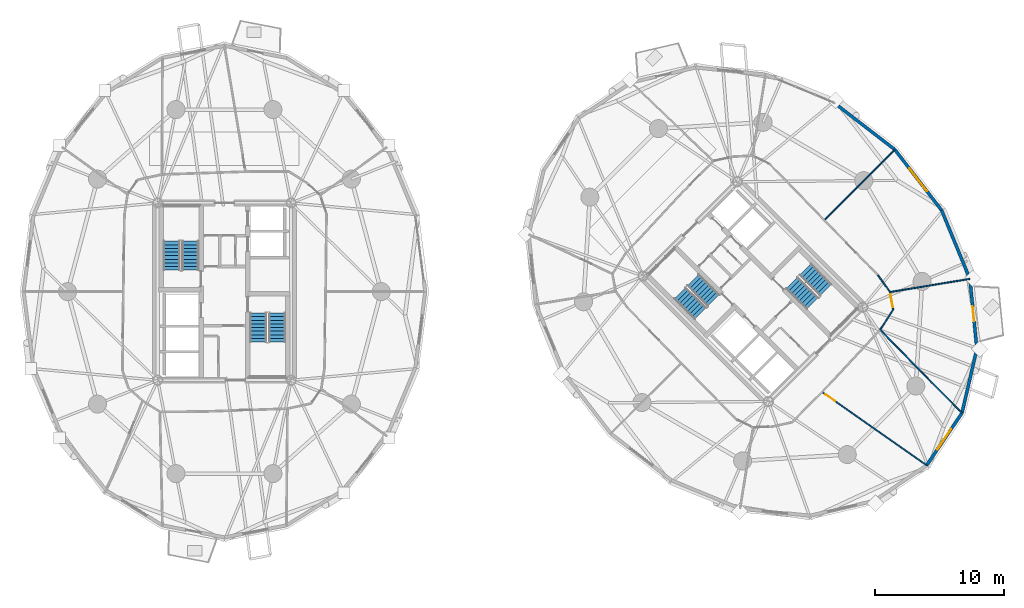
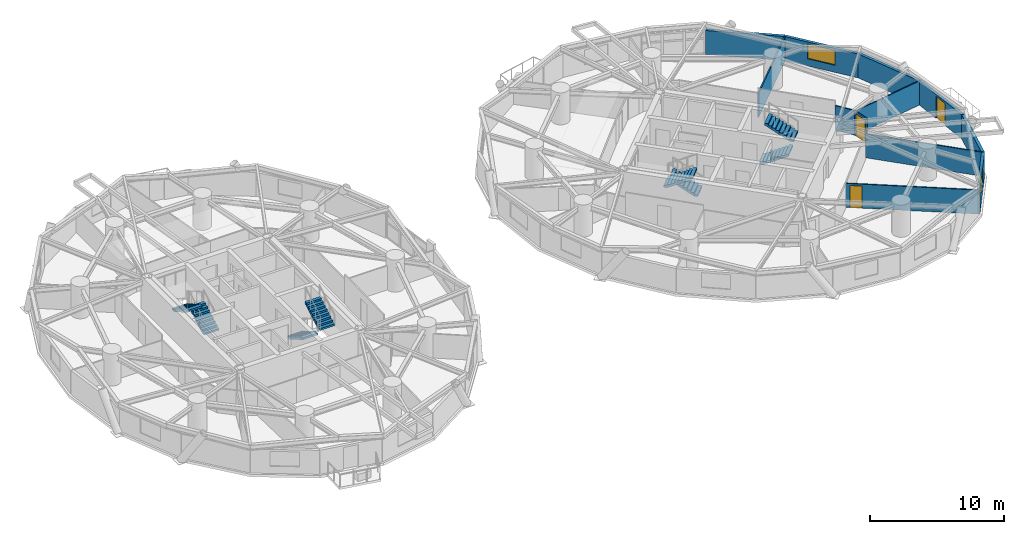
# One storey, part 15 of 18: 13 walls, 8 stair flights, 3 doors, 2 windows, 5 openings, 4 elements without a shape of their own.
"""IFC4 building model written with IfcOpenShell, lengths in metres."""

from ifc_helpers import new_model, si_unit, direction, frame, frame_2d, origin, place, context, subcontext, project, spatial, polyline, rectangle, outline, extrude, source, transform, mapped, material, layer, layer_set, type_object, element, fill, aggregate, save


model = new_model("IFC4")

# Units and contexts
model_context = context("Model", 3, precision=1e-05, world=origin(), true_north=direction((0.0, 1.0)))
body_context = subcontext(model_context, "Body", "Model", "MODEL_VIEW")
ifc_project = project(units=[si_unit("LENGTHUNIT", "METRE"), si_unit("AREAUNIT", "SQUARE_METRE"), si_unit("VOLUMEUNIT", "CUBIC_METRE"), si_unit("PLANEANGLEUNIT", "RADIAN"), si_unit("MASSUNIT", "GRAM", prefix="KILO")], contexts=[model_context])

# Site, building, storey
site_placement = place(None, origin())
site = spatial("IfcSite", under=ifc_project, at=site_placement, CompositionType="ELEMENT")
building_placement = place(site_placement, origin())
building = spatial("IfcBuilding", under=site, at=building_placement, Name="Cununo Teusaquillo Station Towers", CompositionType="ELEMENT")
storey_placement = place(building_placement, frame((0.0, 0.0, 102.159912109375)))
storey = spatial("IfcBuildingStorey", under=building, at=storey_placement, Name="L32", CompositionType="ELEMENT", Elevation=102.159912109375)

# Wall
ifc_material_1 = material(Name="Precast concrete C40/50", Category="concrete")
ifc_layer_1 = layer(ifc_material_1, 0.239990234375)
ifc_layer_set_1 = layer_set([ifc_layer_1], Name="Precast concrete C40/50")
wall_type_1 = type_object("IfcWallType", Name="WL-EXT-240", PredefinedType="SOLIDWALL", material=ifc_layer_set_1)
wall_1_placement = place(storey_placement, frame((63.811279296875, 39.145263671875, 0.0), z_axis=(0.0, 0.0, 1.0), x_axis=(0.791982052206, -0.61054437102, 0.0)))
element("IfcWall", 1, at=wall_1_placement, inside=storey, type_object=wall_type_1, Name="L32 Tower B Exterior Facade Wall C00", PredefinedType="SOLIDWALL", context=body_context, shape_type="SweptSolid", body=[
    extrude(rectangle(XDim=5.942138671875, YDim=0.239990234375, at=frame_2d((2.97119140625, 0.0))), origin(), (0.0, 0.0, 1.0), 2.17919921875),
])

# Wall, opening, window
wall_2_placement = place(storey_placement, frame((73.72900390625, 15.080078125, 0.0), z_axis=(0.0, 0.0, 1.0), x_axis=(-0.559572880421, -0.828781148131, 0.0)))
wall_2 = element("IfcWall", 2, at=wall_2_placement, inside=storey, type_object=wall_type_1, Name="L32 Tower B Exterior Facade Wall C15", PredefinedType="SOLIDWALL", context=body_context, shape_type="SweptSolid", body=[
    extrude(rectangle(XDim=4.904541015625, YDim=0.239990234375, at=frame_2d((2.4521484375, 0.0))), origin(), (0.0, 0.0, 1.0), 2.17919921875),
])
shared_shape_1 = source(origin(), body_context, "Body", "SweptSolid", [
    extrude(rectangle(XDim=1.89990234375, YDim=1.35009765625, at=frame_2d((0.949951171875, 0.675048828125))), frame((0.0, 0.1298828125, 0.0), z_axis=(0.0, -1.0, 0.0), x_axis=(1.0, 0.0, 0.0)), (0.0, 0.0, 1.0), 0.260009765625),
])
opening_1_placement = place(wall_2_placement, frame((1.501953125, 0.0, 0.64990234375)))
opening_1 = element("IfcOpeningElement", 3, at=opening_1_placement, cuts=wall_2, Name="Opening WN-02", PredefinedType="OPENING", context=body_context, shape_type="MappedRepresentation", body=[
    mapped(shared_shape_1, transform((0.0, 0.0, 0.0), x_axis=(1.0, 0.0, 0.0), y_axis=(0.0, 1.0, 0.0), z_axis=(0.0, 0.0, 1.0), scale=1.0)),
])
ifc_material_2 = material(Name="Operable acoustic tinted low-E double glazing", Category="glass")
window_type_1 = type_object("IfcWindowType", Name="WIN-OPER-1900", PartitioningType="DOUBLE_PANEL_VERTICAL", PredefinedType="WINDOW", material=ifc_material_2)
shared_shape_2 = source(origin(), body_context, "Body", "SweptSolid", [
    extrude(rectangle(XDim=1.89990234375, YDim=1.35009765625, at=frame_2d((0.949951171875, 0.675048828125))), frame((0.0, 0.030029296875, 0.0), z_axis=(0.0, -1.0, 0.0), x_axis=(1.0, 0.0, 0.0)), (0.0, 0.0, 1.0), 0.06005859375),
])
window_1_placement = place(opening_1_placement, origin())
window_1 = element("IfcWindow", 4, at=window_1_placement, inside=storey, type_object=window_type_1, Name="L32 Tower B Facade Window C15", OverallHeight=1.35009765625, OverallWidth=1.89990234375, PartitioningType="DOUBLE_PANEL_VERTICAL", PredefinedType="WINDOW", context=body_context, shape_type="MappedRepresentation", body=[
    mapped(shared_shape_2, transform((0.0, 0.0, 0.0), x_axis=(1.0, 0.0, 0.0), y_axis=(0.0, 1.0, 0.0), z_axis=(0.0, 0.0, 1.0), scale=1.0)),
])
fill(opening_1, window_1)

# Wall
wall_3_placement = place(storey_placement, frame((74.885009765625, 20.066650390625, 0.0), z_axis=(0.0, 0.0, 1.0), x_axis=(-0.225834725257, -0.974165631126, 0.0)))
element("IfcWall", 5, at=wall_3_placement, inside=storey, type_object=wall_type_1, Name="L32 Tower B Exterior Facade Wall C16", PredefinedType="SOLIDWALL", context=body_context, shape_type="SweptSolid", body=[
    extrude(rectangle(XDim=5.118896484375, YDim=0.239990234375, at=frame_2d((2.5595703125, 0.0))), origin(), (0.0, 0.0, 1.0), 2.17919921875),
])

# Wall, opening, door
wall_4_placement = place(storey_placement, frame((74.33935546875, 25.4873046875, 0.0), z_axis=(0.0, 0.0, 1.0), x_axis=(0.10015591906, -0.994971754311, 0.0)))
wall_4 = element("IfcWall", 6, at=wall_4_placement, inside=storey, type_object=wall_type_1, Name="L32 Tower B Exterior Facade Wall C17", PredefinedType="SOLIDWALL", context=body_context, shape_type="SweptSolid", body=[
    extrude(rectangle(XDim=5.447998046875, YDim=0.239990234375, at=frame_2d((2.72412109375, 0.0))), origin(), (0.0, 0.0, 1.0), 2.17919921875),
])
shared_shape_3 = source(origin(), body_context, "Body", "SweptSolid", [
    extrude(rectangle(XDim=1.14990234375, YDim=2.0048828125, at=frame_2d((0.574951171875, 1.00244140625))), frame((0.0, 0.1298828125, 0.0), z_axis=(0.0, -1.0, 0.0), x_axis=(1.0, 0.0, 0.0)), (0.0, 0.0, 1.0), 0.260009765625),
])
opening_2_placement = place(wall_4_placement, frame((2.14892578125, 0.0, 0.0)))
opening_2 = element("IfcOpeningElement", 7, at=opening_2_placement, cuts=wall_4, Name="Opening ED-03", PredefinedType="OPENING", context=body_context, shape_type="MappedRepresentation", body=[
    mapped(shared_shape_3, transform((0.0, 0.0, 0.0), x_axis=(1.0, 0.0, 0.0), y_axis=(0.0, 1.0, 0.0), z_axis=(0.0, 0.0, 1.0), scale=1.0)),
])
ifc_material_3 = material(Name="Anodised dark bronze aluminium EN AW-6063-T6", Category="aluminium")
door_type_1 = type_object("IfcDoorType", Name="DR-EXT-BAL", OperationType="NOTDEFINED", PredefinedType="DOOR", material=ifc_material_3)
shared_shape_4 = source(origin(), body_context, "Body", "SweptSolid", [
    extrude(rectangle(XDim=1.14990234375, YDim=2.0048828125, at=frame_2d((0.574951171875, 1.00244140625))), frame((0.0, 0.02490234375, 0.0), z_axis=(0.0, -1.0, 0.0), x_axis=(1.0, 0.0, 0.0)), (0.0, 0.0, 1.0), 0.050048828125),
])
door_1_placement = place(opening_2_placement, origin())
door_1 = element("IfcDoor", 8, at=door_1_placement, inside=storey, type_object=door_type_1, Name="L32 Tower B Tree Balcony Door C17", OperationType="SINGLE_SWING_LEFT", OverallHeight=2.0048828125, OverallWidth=1.14990234375, PredefinedType="DOOR", context=body_context, shape_type="MappedRepresentation", body=[
    mapped(shared_shape_4, transform((0.0, 0.0, 0.0), x_axis=(1.0, 0.0, 0.0), y_axis=(0.0, 1.0, 0.0), z_axis=(0.0, 0.0, 1.0), scale=1.0)),
])
fill(opening_2, door_1)

# Wall
wall_5_placement = place(storey_placement, frame((72.145263671875, 30.811279296875, 0.0), z_axis=(0.0, 0.0, 1.0), x_axis=(0.381027003055, -0.924563909604, 0.0)))
element("IfcWall", 9, at=wall_5_placement, inside=storey, type_object=wall_type_1, Name="L32 Tower B Exterior Facade Wall C18", PredefinedType="SOLIDWALL", context=body_context, shape_type="SweptSolid", body=[
    extrude(rectangle(XDim=5.75830078125, YDim=0.239990234375, at=frame_2d((2.879150390625, 0.0))), origin(), (0.0, 0.0, 1.0), 2.17919921875),
])

# Wall, opening, window
wall_6_placement = place(storey_placement, frame((68.517333984375, 35.517333984375, 0.0), z_axis=(0.0, 0.0, 1.0), x_axis=(0.61054437102, -0.791982052206, 0.0)))
wall_6 = element("IfcWall", 10, at=wall_6_placement, inside=storey, type_object=wall_type_1, Name="L32 Tower B Exterior Facade Wall C19", PredefinedType="SOLIDWALL", context=body_context, shape_type="SweptSolid", body=[
    extrude(rectangle(XDim=5.942138671875, YDim=0.239990234375, at=frame_2d((2.97119140625, 0.0))), origin(), (0.0, 0.0, 1.0), 2.17919921875),
])
shared_shape_5 = source(origin(), body_context, "Body", "SweptSolid", [
    extrude(rectangle(XDim=2.199951171875, YDim=1.35009765625, at=frame_2d((1.10009765625, 0.675048828125))), frame((0.0, 0.1298828125, 0.0), z_axis=(0.0, -1.0, 0.0), x_axis=(1.0, 0.0, 0.0)), (0.0, 0.0, 1.0), 0.260009765625),
])
opening_3_placement = place(wall_6_placement, frame((1.87109375, 0.0, 0.64990234375)))
opening_3 = element("IfcOpeningElement", 11, at=opening_3_placement, cuts=wall_6, Name="Opening WN-01", PredefinedType="OPENING", context=body_context, shape_type="MappedRepresentation", body=[
    mapped(shared_shape_5, transform((0.0, 0.0, 0.0), x_axis=(1.0, 0.0, 0.0), y_axis=(0.0, 1.0, 0.0), z_axis=(0.0, 0.0, 1.0), scale=1.0)),
])
ifc_material_4 = material(Name="Ceramic-fritted dark low-E double glazing", Category="glass")
window_type_2 = type_object("IfcWindowType", Name="WIN-FRIT-2200", PartitioningType="DOUBLE_PANEL_VERTICAL", PredefinedType="WINDOW", material=ifc_material_4)
shared_shape_6 = source(origin(), body_context, "Body", "SweptSolid", [
    extrude(rectangle(XDim=2.199951171875, YDim=1.35009765625, at=frame_2d((1.10009765625, 0.675048828125))), frame((0.0, 0.030029296875, 0.0), z_axis=(0.0, -1.0, 0.0), x_axis=(1.0, 0.0, 0.0)), (0.0, 0.0, 1.0), 0.06005859375),
])
window_2_placement = place(opening_3_placement, origin())
window_2 = element("IfcWindow", 12, at=window_2_placement, inside=storey, type_object=window_type_2, Name="L32 Tower B Facade Window C19", OverallHeight=1.35009765625, OverallWidth=2.199951171875, PartitioningType="DOUBLE_PANEL_VERTICAL", PredefinedType="WINDOW", context=body_context, shape_type="MappedRepresentation", body=[
    mapped(shared_shape_6, transform((0.0, 0.0, 0.0), x_axis=(1.0, 0.0, 0.0), y_axis=(0.0, 1.0, 0.0), z_axis=(0.0, 0.0, 1.0), scale=1.0)),
])
fill(opening_3, window_2)

# Wall
ifc_material_5 = material(Name="Fire-rated gypsum plasterboard partition assembly", Category="gypsum")
ifc_layer_2 = layer(ifc_material_5, 0.10009765625)
ifc_layer_set_2 = layer_set([ifc_layer_2], Name="Fire-rated gypsum plasterboard partition assembly")
wall_type_2 = type_object("IfcWallType", Name="WL-PART-100", PredefinedType="MOVABLE", material=ifc_layer_set_2)
wall_7_placement = place(storey_placement, frame((67.3779296875, 21.534423828125, 0.0), z_axis=(0.0, 0.0, 1.0), x_axis=(0.54130306552, 0.840827563332, 0.0)))
element("IfcWall", 13, at=wall_7_placement, inside=storey, type_object=wall_type_2, Name="L32 Tower B Corridor Ring Wall C16", PredefinedType="MOVABLE", context=body_context, shape_type="SweptSolid", body=[
    extrude(rectangle(XDim=1.877197265625, YDim=0.10009765625, at=frame_2d((0.9384765625, 0.0))), origin(), (0.0, 0.0, 1.0), 2.22509765625),
])

# Wall, opening, door
wall_8_placement = place(storey_placement, frame((68.39404296875, 23.11279296875, 0.0), z_axis=(0.0, 0.0, 1.0), x_axis=(-0.177868948753, 0.984054184011, 0.0)))
wall_8 = element("IfcWall", 14, at=wall_8_placement, inside=storey, type_object=wall_type_2, Name="L32 Tower B Corridor Ring Wall C17", PredefinedType="MOVABLE", context=body_context, shape_type="SweptSolid", body=[
    extrude(rectangle(XDim=1.3740234375, YDim=0.10009765625, at=frame_2d((0.68701171875, 0.0))), origin(), (0.0, 0.0, 1.0), 2.22509765625),
])
shared_shape_7 = source(origin(), body_context, "Body", "SweptSolid", [
    extrude(rectangle(XDim=1.050048828125, YDim=2.014892578125, at=frame_2d((0.52490234375, 1.00732421875))), frame((0.0, 0.06005859375, 0.0), z_axis=(0.0, -1.0, 0.0), x_axis=(1.0, 0.0, 0.0)), (0.0, 0.0, 1.0), 0.1201171875),
])
opening_4_placement = place(wall_8_placement, frame((0.162109375, 0.0, 0.0)))
opening_4 = element("IfcOpeningElement", 15, at=opening_4_placement, cuts=wall_8, Name="Opening D-SU1", PredefinedType="OPENING", context=body_context, shape_type="MappedRepresentation", body=[
    mapped(shared_shape_7, transform((0.0, 0.0, 0.0), x_axis=(1.0, 0.0, 0.0), y_axis=(0.0, 1.0, 0.0), z_axis=(0.0, 0.0, 1.0), scale=1.0)),
])
ifc_material_6 = material(Name="Acoustic solid-core hardwood leaf assembly", Category="wood")
door_type_2 = type_object("IfcDoorType", Name="DR-SUITE-1050", OperationType="NOTDEFINED", PredefinedType="DOOR", material=ifc_material_6)
shared_shape_8 = source(origin(), body_context, "Body", "SweptSolid", [
    extrude(rectangle(XDim=1.050048828125, YDim=2.014892578125, at=frame_2d((0.52490234375, 1.00732421875))), frame((0.0, 0.02490234375, 0.0), z_axis=(0.0, -1.0, 0.0), x_axis=(1.0, 0.0, 0.0)), (0.0, 0.0, 1.0), 0.050048828125),
])
door_2_placement = place(opening_4_placement, origin())
door_2 = element("IfcDoor", 16, at=door_2_placement, inside=storey, type_object=door_type_2, Name="L32 Tower B Traders Quiet Recovery Pantry Entrance Door", OperationType="SINGLE_SWING_LEFT", OverallHeight=2.014892578125, OverallWidth=1.050048828125, PredefinedType="DOOR", context=body_context, shape_type="MappedRepresentation", body=[
    mapped(shared_shape_8, transform((0.0, 0.0, 0.0), x_axis=(1.0, 0.0, 0.0), y_axis=(0.0, 1.0, 0.0), z_axis=(0.0, 0.0, 1.0), scale=1.0)),
])
fill(opening_4, door_2)

# Walls
wall_9_placement = place(storey_placement, frame((68.149658203125, 24.46484375, 0.0), z_axis=(0.0, 0.0, 1.0), x_axis=(-0.58376767291, 0.811920749868, 0.0)))
element("IfcWall", 17, at=wall_9_placement, inside=storey, type_object=wall_type_2, Name="L32 Tower B Corridor Ring Wall C18", PredefinedType="MOVABLE", context=body_context, shape_type="SweptSolid", body=[
    extrude(rectangle(XDim=1.605224609375, YDim=0.10009765625, at=frame_2d((0.802734375, 0.0))), origin(), (0.0, 0.0, 1.0), 2.22509765625),
])
wall_10_placement = place(storey_placement, frame((63.05078125, 30.05078125, 0.0), z_axis=(0.0, 0.0, 1.0), x_axis=(0.707106781187, 0.707106781187, 0.0)))
element("IfcWall", 18, at=wall_10_placement, inside=storey, type_object=wall_type_2, Name="L32 Tower B Radial Suite Partition R01", PredefinedType="MOVABLE", context=body_context, shape_type="SweptSolid", body=[
    extrude(rectangle(XDim=7.711181640625, YDim=0.10009765625, at=frame_2d((3.85546875, 0.0))), origin(), (0.0, 0.0, 1.0), 2.17919921875),
])
wall_11_placement = place(storey_placement, frame((67.3779296875, 21.534423828125, 0.0), z_axis=(0.0, 0.0, 1.0), x_axis=(0.700878918497, -0.713280268622, 0.0)))
element("IfcWall", 19, at=wall_11_placement, inside=storey, type_object=wall_type_2, Name="L32 Tower B Radial Suite Partition R07", PredefinedType="MOVABLE", context=body_context, shape_type="SweptSolid", body=[
    extrude(rectangle(XDim=9.0361328125, YDim=0.10009765625, at=frame_2d((4.51806640625, 0.0))), origin(), (0.0, 0.0, 1.0), 2.17919921875),
])
wall_12_placement = place(storey_placement, frame((68.149658203125, 24.46484375, 0.0), z_axis=(0.0, 0.0, 1.0), x_axis=(0.986627164528, 0.162993368625, 0.0)))
element("IfcWall", 20, at=wall_12_placement, inside=storey, type_object=wall_type_2, Name="L32 Tower B Radial Suite Partition R08", PredefinedType="MOVABLE", context=body_context, shape_type="SweptSolid", body=[
    extrude(rectangle(XDim=6.253662109375, YDim=0.10009765625, at=frame_2d((3.126953125, 0.0))), origin(), (0.0, 0.0, 1.0), 2.17919921875),
])

# Wall, opening, door
wall_13_placement = place(storey_placement, frame((62.874755859375, 16.709228515625, 0.0), z_axis=(0.0, 0.0, 1.0), x_axis=(0.818628370173, -0.574323594804, 0.0)))
wall_13 = element("IfcWall", 21, at=wall_13_placement, inside=storey, type_object=wall_type_2, Name="L32 Tower B Algorithmic Backtesting Lab Suite Subdividing Wall", PredefinedType="MOVABLE", context=body_context, shape_type="SweptSolid", body=[
    extrude(rectangle(XDim=9.889404296875, YDim=0.10009765625, at=frame_2d((4.94482421875, 0.0))), origin(), (0.0, 0.0, 1.0), 2.17919921875),
])
shared_shape_9 = source(origin(), body_context, "Body", "SweptSolid", [
    extrude(rectangle(XDim=0.89990234375, YDim=2.0048828125, at=frame_2d((0.449951171875, 1.00244140625))), frame((0.0, 0.06005859375, 0.0), z_axis=(0.0, -1.0, 0.0), x_axis=(1.0, 0.0, 0.0)), (0.0, 0.0, 1.0), 0.1201171875),
])
opening_5_placement = place(wall_13_placement, frame((0.330078125, 0.0, 0.0)))
opening_5 = element("IfcOpeningElement", 22, at=opening_5_placement, cuts=wall_13, Name="Opening D-IN1", PredefinedType="OPENING", context=body_context, shape_type="MappedRepresentation", body=[
    mapped(shared_shape_9, transform((0.0, 0.0, 0.0), x_axis=(1.0, 0.0, 0.0), y_axis=(0.0, 1.0, 0.0), z_axis=(0.0, 0.0, 1.0), scale=1.0)),
])
ifc_material_7 = material(Name="Acoustic solid-core hardwood leaf assembly", Category="wood")
door_type_3 = type_object("IfcDoorType", Name="DR-INT-900", OperationType="NOTDEFINED", PredefinedType="DOOR", material=ifc_material_7)
shared_shape_10 = source(origin(), body_context, "Body", "SweptSolid", [
    extrude(rectangle(XDim=0.89990234375, YDim=2.0048828125, at=frame_2d((0.449951171875, 1.00244140625))), frame((0.0, 0.02490234375, 0.0), z_axis=(0.0, -1.0, 0.0), x_axis=(1.0, 0.0, 0.0)), (0.0, 0.0, 1.0), 0.050048828125),
])
door_3_placement = place(opening_5_placement, origin())
door_3 = element("IfcDoor", 23, at=door_3_placement, inside=storey, type_object=door_type_3, Name="L32 Tower B Algorithmic Backtesting Lab Suite Connecting Door", OperationType="SINGLE_SWING_RIGHT", OverallHeight=2.0048828125, OverallWidth=0.89990234375, PredefinedType="DOOR", context=body_context, shape_type="MappedRepresentation", body=[
    mapped(shared_shape_10, transform((0.0, 0.0, 0.0), x_axis=(1.0, 0.0, 0.0), y_axis=(0.0, 1.0, 0.0), z_axis=(0.0, 0.0, 1.0), scale=1.0)),
])
fill(opening_5, door_3)

# Stair, stair flights
ifc_material_8 = material(Name="Concrete C50/60", Category="concrete")
stair_type = type_object("IfcStairType", Name="ST-TWR-1300", PredefinedType="HALF_TURN_STAIR", material=ifc_material_8)
stair_1_placement = place(storey_placement, origin())
stair_1 = element("IfcStair", 24, at=stair_1_placement, inside=storey, type_object=stair_type, Name="L32 Tower A Protected Core Exit Stair 1", PredefinedType="HALF_TURN_STAIR")
ifc_material_9 = material(Name="Concrete C50/60", Category="concrete")
stair_flight_type = type_object("IfcStairFlightType", Name="SFL-TWR-1300", PredefinedType="STRAIGHT", material=ifc_material_9)
stair_flight_1_placement = place(storey_placement, frame((13.8701171875, 26.169921875, 0.0), z_axis=(0.0, 0.0, 1.0), x_axis=(0.0, 1.0, 0.0)))
stair_flight_1 = element("IfcStairFlight", 25, at=stair_flight_1_placement, type_object=stair_flight_type, Name="ST-T1-1 flight 1", NumberOfRisers=9, NumberOfTreads=8, PredefinedType="STRAIGHT", RiserHeight=0.161666667, TreadLength=0.28, context=body_context, shape_type="SweptSolid", body=[
    extrude(outline(polyline([(0.0, 0.0), (0.0, 0.16162109375), (0.280029296875, 0.16162109375), (0.280029296875, 0.3232421875), (0.56005859375, 0.3232421875), (0.56005859375, 0.485107421875), (0.840087890625, 0.485107421875), (0.840087890625, 0.646728515625), (1.1201171875, 0.646728515625), (1.1201171875, 0.808349609375), (1.39990234375, 0.808349609375), (1.39990234375, 0.969970703125), (1.679931640625, 0.969970703125), (1.679931640625, 1.131591796875), (1.9599609375, 1.131591796875), (1.9599609375, 1.293212890625), (2.239990234375, 1.293212890625), (2.239990234375, 1.455078125), (2.239990234375, 1.1201171875), (0.2998046875, 0.0), (0.0, 0.0)])), frame((0.0, 0.64990234375, 0.0), z_axis=(0.0, -1.0, 0.0), x_axis=(1.0, 0.0, 0.0)), (0.0, 0.0, 1.0), 1.300048828125),
])
stair_flight_2_placement = place(storey_placement, frame((12.409912109375, 28.409912109375, 1.455078125), z_axis=(0.0, 0.0, 1.0), x_axis=(0.0, -1.0, 0.0)))
stair_flight_2 = element("IfcStairFlight", 26, at=stair_flight_2_placement, type_object=stair_flight_type, Name="ST-T1-1 flight 2", NumberOfRisers=9, NumberOfTreads=8, PredefinedType="STRAIGHT", RiserHeight=0.161666667, TreadLength=0.28, context=body_context, shape_type="SweptSolid", body=[
    extrude(outline(polyline([(0.0, 0.0), (0.0, 0.16162109375), (0.280029296875, 0.16162109375), (0.280029296875, 0.3232421875), (0.56005859375, 0.3232421875), (0.56005859375, 0.485107421875), (0.840087890625, 0.485107421875), (0.840087890625, 0.646728515625), (1.1201171875, 0.646728515625), (1.1201171875, 0.808349609375), (1.39990234375, 0.808349609375), (1.39990234375, 0.969970703125), (1.679931640625, 0.969970703125), (1.679931640625, 1.131591796875), (1.9599609375, 1.131591796875), (1.9599609375, 1.293212890625), (2.239990234375, 1.293212890625), (2.239990234375, 1.455078125), (2.239990234375, 1.1201171875), (0.2998046875, 0.0), (0.0, 0.0)])), frame((0.0, 0.64990234375, 0.0), z_axis=(0.0, -1.0, 0.0), x_axis=(1.0, 0.0, 0.0)), (0.0, 0.0, 1.0), 1.300048828125),
])
aggregate(stair_1, [stair_flight_1, stair_flight_2])

stair_2_placement = place(storey_placement, origin())
stair_2 = element("IfcStair", 27, at=stair_2_placement, inside=storey, type_object=stair_type, Name="L32 Tower A Protected Core Exit Stair 2", PredefinedType="HALF_TURN_STAIR")
stair_flight_3_placement = place(storey_placement, frame((19.1298828125, 22.830078125, 0.0), z_axis=(0.0, 0.0, 1.0), x_axis=(0.0, -1.0, 0.0)))
stair_flight_3 = element("IfcStairFlight", 28, at=stair_flight_3_placement, type_object=stair_flight_type, Name="ST-T1-2 flight 1", NumberOfRisers=9, NumberOfTreads=8, PredefinedType="STRAIGHT", RiserHeight=0.161666667, TreadLength=0.28, context=body_context, shape_type="SweptSolid", body=[
    extrude(outline(polyline([(0.0, 0.0), (0.0, 0.16162109375), (0.280029296875, 0.16162109375), (0.280029296875, 0.3232421875), (0.56005859375, 0.3232421875), (0.56005859375, 0.485107421875), (0.840087890625, 0.485107421875), (0.840087890625, 0.646728515625), (1.1201171875, 0.646728515625), (1.1201171875, 0.808349609375), (1.39990234375, 0.808349609375), (1.39990234375, 0.969970703125), (1.679931640625, 0.969970703125), (1.679931640625, 1.131591796875), (1.9599609375, 1.131591796875), (1.9599609375, 1.293212890625), (2.239990234375, 1.293212890625), (2.239990234375, 1.455078125), (2.239990234375, 1.1201171875), (0.2998046875, 0.0), (0.0, 0.0)])), frame((0.0, 0.64990234375, 0.0), z_axis=(0.0, -1.0, 0.0), x_axis=(1.0, 0.0, 0.0)), (0.0, 0.0, 1.0), 1.300048828125),
])
stair_flight_4_placement = place(storey_placement, frame((20.590087890625, 20.590087890625, 1.455078125), z_axis=(0.0, 0.0, 1.0), x_axis=(0.0, 1.0, 0.0)))
stair_flight_4 = element("IfcStairFlight", 29, at=stair_flight_4_placement, type_object=stair_flight_type, Name="ST-T1-2 flight 2", NumberOfRisers=9, NumberOfTreads=8, PredefinedType="STRAIGHT", RiserHeight=0.161666667, TreadLength=0.28, context=body_context, shape_type="SweptSolid", body=[
    extrude(outline(polyline([(0.0, 0.0), (0.0, 0.16162109375), (0.280029296875, 0.16162109375), (0.280029296875, 0.3232421875), (0.56005859375, 0.3232421875), (0.56005859375, 0.485107421875), (0.840087890625, 0.485107421875), (0.840087890625, 0.646728515625), (1.1201171875, 0.646728515625), (1.1201171875, 0.808349609375), (1.39990234375, 0.808349609375), (1.39990234375, 0.969970703125), (1.679931640625, 0.969970703125), (1.679931640625, 1.131591796875), (1.9599609375, 1.131591796875), (1.9599609375, 1.293212890625), (2.239990234375, 1.293212890625), (2.239990234375, 1.455078125), (2.239990234375, 1.1201171875), (0.2998046875, 0.0), (0.0, 0.0)])), frame((0.0, 0.64990234375, 0.0), z_axis=(0.0, -1.0, 0.0), x_axis=(1.0, 0.0, 0.0)), (0.0, 0.0, 1.0), 1.300048828125),
])
aggregate(stair_2, [stair_flight_3, stair_flight_4])

stair_3_placement = place(storey_placement, origin())
stair_3 = element("IfcStair", 30, at=stair_3_placement, inside=storey, type_object=stair_type, Name="L32 Tower B Protected Core Exit Stair 1", PredefinedType="HALF_TURN_STAIR")
stair_flight_5_placement = place(storey_placement, frame((54.45947265625, 23.8212890625, 0.0), z_axis=(0.0, 0.0, 1.0), x_axis=(-0.707106781187, 0.707106781187, 0.0)))
stair_flight_5 = element("IfcStairFlight", 31, at=stair_flight_5_placement, type_object=stair_flight_type, Name="ST-T2-1 flight 1", NumberOfRisers=9, NumberOfTreads=8, PredefinedType="STRAIGHT", RiserHeight=0.161666667, TreadLength=0.28, context=body_context, shape_type="SweptSolid", body=[
    extrude(outline(polyline([(0.0, 0.0), (0.0, 0.16162109375), (0.280029296875, 0.16162109375), (0.280029296875, 0.3232421875), (0.56005859375, 0.3232421875), (0.56005859375, 0.485107421875), (0.840087890625, 0.485107421875), (0.840087890625, 0.646728515625), (1.1201171875, 0.646728515625), (1.1201171875, 0.808349609375), (1.39990234375, 0.808349609375), (1.39990234375, 0.969970703125), (1.679931640625, 0.969970703125), (1.679931640625, 1.131591796875), (1.9599609375, 1.131591796875), (1.9599609375, 1.293212890625), (2.239990234375, 1.293212890625), (2.239990234375, 1.455078125), (2.239990234375, 1.1201171875), (0.2998046875, 0.0), (0.0, 0.0)])), frame((0.0, 0.64990234375, 0.0), z_axis=(0.0, -1.0, 0.0), x_axis=(1.0, 0.0, 0.0)), (0.0, 0.0, 1.0), 1.300048828125),
])
stair_flight_6_placement = place(storey_placement, frame((51.84326171875, 24.372802734375, 1.455078125), z_axis=(0.0, 0.0, 1.0), x_axis=(0.707106781187, -0.707106781187, 0.0)))
stair_flight_6 = element("IfcStairFlight", 32, at=stair_flight_6_placement, type_object=stair_flight_type, Name="ST-T2-1 flight 2", NumberOfRisers=9, NumberOfTreads=8, PredefinedType="STRAIGHT", RiserHeight=0.161666667, TreadLength=0.28, context=body_context, shape_type="SweptSolid", body=[
    extrude(outline(polyline([(0.0, 0.0), (0.0, 0.16162109375), (0.280029296875, 0.16162109375), (0.280029296875, 0.3232421875), (0.56005859375, 0.3232421875), (0.56005859375, 0.485107421875), (0.840087890625, 0.485107421875), (0.840087890625, 0.646728515625), (1.1201171875, 0.646728515625), (1.1201171875, 0.808349609375), (1.39990234375, 0.808349609375), (1.39990234375, 0.969970703125), (1.679931640625, 0.969970703125), (1.679931640625, 1.131591796875), (1.9599609375, 1.131591796875), (1.9599609375, 1.293212890625), (2.239990234375, 1.293212890625), (2.239990234375, 1.455078125), (2.239990234375, 1.1201171875), (0.2998046875, 0.0), (0.0, 0.0)])), frame((0.0, 0.64990234375, 0.0), z_axis=(0.0, -1.0, 0.0), x_axis=(1.0, 0.0, 0.0)), (0.0, 0.0, 1.0), 1.300048828125),
])
aggregate(stair_3, [stair_flight_5, stair_flight_6])

stair_4_placement = place(storey_placement, origin())
stair_4 = element("IfcStair", 33, at=stair_4_placement, inside=storey, type_object=stair_type, Name="L32 Tower B Protected Core Exit Stair 2", PredefinedType="HALF_TURN_STAIR")
stair_flight_7_placement = place(storey_placement, frame((60.54052734375, 25.1787109375, 0.0), z_axis=(0.0, 0.0, 1.0), x_axis=(0.707106781187, -0.707106781187, 0.0)))
stair_flight_7 = element("IfcStairFlight", 34, at=stair_flight_7_placement, type_object=stair_flight_type, Name="ST-T2-2 flight 1", NumberOfRisers=9, NumberOfTreads=8, PredefinedType="STRAIGHT", RiserHeight=0.161666667, TreadLength=0.28, context=body_context, shape_type="SweptSolid", body=[
    extrude(outline(polyline([(0.0, 0.0), (0.0, 0.16162109375), (0.280029296875, 0.16162109375), (0.280029296875, 0.3232421875), (0.56005859375, 0.3232421875), (0.56005859375, 0.485107421875), (0.840087890625, 0.485107421875), (0.840087890625, 0.646728515625), (1.1201171875, 0.646728515625), (1.1201171875, 0.808349609375), (1.39990234375, 0.808349609375), (1.39990234375, 0.969970703125), (1.679931640625, 0.969970703125), (1.679931640625, 1.131591796875), (1.9599609375, 1.131591796875), (1.9599609375, 1.293212890625), (2.239990234375, 1.293212890625), (2.239990234375, 1.455078125), (2.239990234375, 1.1201171875), (0.2998046875, 0.0), (0.0, 0.0)])), frame((0.0, 0.64990234375, 0.0), z_axis=(0.0, -1.0, 0.0), x_axis=(1.0, 0.0, 0.0)), (0.0, 0.0, 1.0), 1.300048828125),
])
stair_flight_8_placement = place(storey_placement, frame((63.15673828125, 24.627197265625, 1.455078125), z_axis=(0.0, 0.0, 1.0), x_axis=(-0.707106781187, 0.707106781187, 0.0)))
stair_flight_8 = element("IfcStairFlight", 35, at=stair_flight_8_placement, type_object=stair_flight_type, Name="ST-T2-2 flight 2", NumberOfRisers=9, NumberOfTreads=8, PredefinedType="STRAIGHT", RiserHeight=0.161666667, TreadLength=0.28, context=body_context, shape_type="SweptSolid", body=[
    extrude(outline(polyline([(0.0, 0.0), (0.0, 0.16162109375), (0.280029296875, 0.16162109375), (0.280029296875, 0.3232421875), (0.56005859375, 0.3232421875), (0.56005859375, 0.485107421875), (0.840087890625, 0.485107421875), (0.840087890625, 0.646728515625), (1.1201171875, 0.646728515625), (1.1201171875, 0.808349609375), (1.39990234375, 0.808349609375), (1.39990234375, 0.969970703125), (1.679931640625, 0.969970703125), (1.679931640625, 1.131591796875), (1.9599609375, 1.131591796875), (1.9599609375, 1.293212890625), (2.239990234375, 1.293212890625), (2.239990234375, 1.455078125), (2.239990234375, 1.1201171875), (0.2998046875, 0.0), (0.0, 0.0)])), frame((0.0, 0.64990234375, 0.0), z_axis=(0.0, -1.0, 0.0), x_axis=(1.0, 0.0, 0.0)), (0.0, 0.0, 1.0), 1.300048828125),
])
aggregate(stair_4, [stair_flight_7, stair_flight_8])

save(model, "model.ifc")
